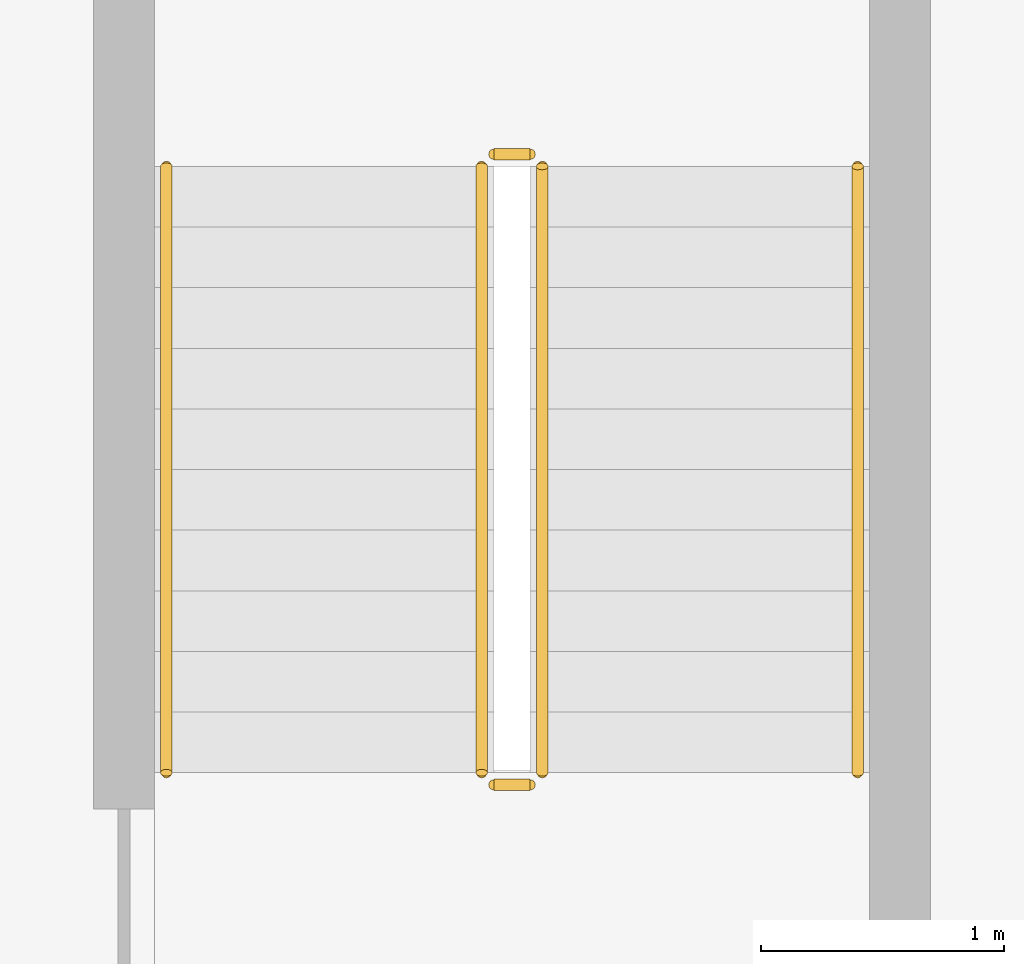
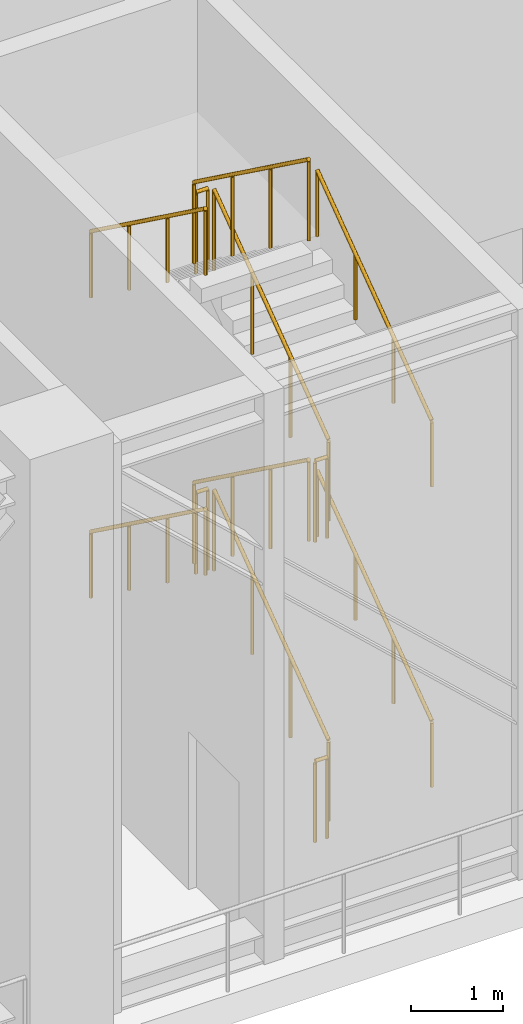
# One storey, part 7 of 10: 12 railings.
"""IFC4 building model written with IfcOpenShell, lengths in metres."""

from ifc_helpers import new_model, si_unit, direction, frame, origin, origin_2d, place, context, subcontext, project, spatial, circle, extrude, source, transform, mapped, material, type_object, element, save


model = new_model("IFC4")

# Units and contexts
model_context = context("Model", 3, precision=1e-05, world=origin(), true_north=direction((0.0, 1.0)))
body_context = subcontext(model_context, "Body", "Model", "MODEL_VIEW")
ifc_project = project(units=[si_unit("LENGTHUNIT", "METRE"), si_unit("AREAUNIT", "SQUARE_METRE"), si_unit("VOLUMEUNIT", "CUBIC_METRE"), si_unit("PLANEANGLEUNIT", "RADIAN"), si_unit("MASSUNIT", "GRAM", prefix="KILO")], contexts=[model_context])

# Site, building, storey
site_placement = place(None, origin())
site = spatial("IfcSite", under=ifc_project, at=site_placement, CompositionType="ELEMENT")
building_placement = place(site_placement, origin())
building = spatial("IfcBuilding", under=site, at=building_placement, Name="Aurelian Terraces", CompositionType="ELEMENT")
storey_placement = place(building_placement, frame((0.0, 0.0, 162.3)))
storey = spatial("IfcBuildingStorey", under=building, at=storey_placement, Name="L36", CompositionType="ELEMENT", Elevation=162.3)

# Railings
ifc_material = material(Name="Stainless steel", Category="steel")
railing_type_1 = type_object("IfcRailingType", Name="Stair guard 1100", PredefinedType="GUARDRAIL", material=ifc_material)
shared_shape_1 = source(origin(), body_context, "Body", "SweptSolid", [
    extrude(circle(Radius=0.024, at=origin_2d()), frame((0.0, 0.0, 1.076), z_axis=(-1.0, 0.0, 0.0), x_axis=(0.0, -1.0, 0.0)), (0.0, 0.0, 1.0), 0.15),
    extrude(circle(Radius=0.021, at=origin_2d()), origin(), (0.0, 0.0, 1.0), 1.052),
    extrude(circle(Radius=0.021, at=origin_2d()), frame((-0.15, 0.0, 0.0)), (0.0, 0.0, 1.0), 1.052),
])
for number, where, name in (
    (1, (42.2, 4.65, 2.0), "L36 S2 stair guard 2"),
    (2, (42.2, 2.05, 4.0), "L36 S2 stair guard 4"),
    (3, (42.2, 4.65, 6.0), "L36 S2 stair guard 6"),
    (4, (42.2, 2.05, 0.0), "L36 S2 stair guard 8"),
):
    element("IfcRailing", number, at=place(storey_placement, frame(where)), inside=storey, type_object=railing_type_1, Name=name, PredefinedType="GUARDRAIL", context=body_context, shape_type="MappedRepresentation", body=[
        mapped(shared_shape_1, transform((0.0, 0.0, 0.0), scale=1.0)),
    ])
shared_shape_2 = source(origin(), body_context, "Body", "SweptSolid", [
    extrude(circle(Radius=0.024, at=origin_2d()), frame((0.0, 0.0, 1.076), z_axis=(0.0, 0.808733286514, 0.588175544616), x_axis=(-1.0, 0.0, 0.0)), (0.0, 0.0, 1.0), 3.0913),
    extrude(circle(Radius=0.021, at=origin_2d()), origin(), (0.0, 0.0, 1.0), 1.052),
    extrude(circle(Radius=0.021, at=origin_2d()), frame((0.0, 0.8333, 0.6061)), (0.0, 0.0, 1.0), 1.052),
    extrude(circle(Radius=0.021, at=origin_2d()), frame((0.0, 1.6667, 1.2121)), (0.0, 0.0, 1.0), 1.052),
    extrude(circle(Radius=0.021, at=origin_2d()), frame((0.0, 2.5, 1.8182)), (0.0, 0.0, 1.0), 1.052),
])
for number, where, name in (
    (5, (42.25, 2.1, 0.1818), "L36 S2 stair guard 1"),
    (6, (42.25, 2.1, 4.1818), "L36 S2 stair guard 5"),
):
    element("IfcRailing", number, at=place(storey_placement, frame(where)), inside=storey, type_object=railing_type_1, Name=name, PredefinedType="GUARDRAIL", context=body_context, shape_type="MappedRepresentation", body=[
        mapped(shared_shape_2, transform((0.0, 0.0, 0.0), scale=1.0)),
    ])
shared_shape_3 = source(origin(), body_context, "Body", "SweptSolid", [
    extrude(circle(Radius=0.024, at=origin_2d()), frame((0.0, 0.0, 1.076), z_axis=(0.0, -0.808733286514, 0.588175544616), x_axis=(1.0, 0.0, 0.0)), (0.0, 0.0, 1.0), 3.0913),
    extrude(circle(Radius=0.021, at=origin_2d()), origin(), (0.0, 0.0, 1.0), 1.052),
    extrude(circle(Radius=0.021, at=origin_2d()), frame((0.0, -0.8333, 0.6061)), (0.0, 0.0, 1.0), 1.052),
    extrude(circle(Radius=0.021, at=origin_2d()), frame((0.0, -1.6667, 1.2121)), (0.0, 0.0, 1.0), 1.052),
    extrude(circle(Radius=0.021, at=origin_2d()), frame((0.0, -2.5, 1.8182)), (0.0, 0.0, 1.0), 1.052),
])
for number, where, name in (
    (7, (42.0, 4.6, 2.1818), "L36 S2 stair guard 3"),
    (8, (42.0, 4.6, 6.1818), "L36 S2 stair guard 7"),
):
    element("IfcRailing", number, at=place(storey_placement, frame(where)), inside=storey, type_object=railing_type_1, Name=name, PredefinedType="GUARDRAIL", context=body_context, shape_type="MappedRepresentation", body=[
        mapped(shared_shape_3, transform((0.0, 0.0, 0.0), scale=1.0)),
    ])
railing_type_2 = type_object("IfcRailingType", Name="Stair handrail", PredefinedType="HANDRAIL", material=ifc_material)
shared_shape_4 = source(origin(), body_context, "Body", "SweptSolid", [
    extrude(circle(Radius=0.024, at=origin_2d()), frame((0.0, 0.0, 0.876), z_axis=(0.0, 0.808733286514, 0.588175544616), x_axis=(-1.0, 0.0, 0.0)), (0.0, 0.0, 1.0), 3.0913),
    extrude(circle(Radius=0.021, at=origin_2d()), origin(), (0.0, 0.0, 1.0), 0.852),
    extrude(circle(Radius=0.021, at=origin_2d()), frame((0.0, 0.8333, 0.6061)), (0.0, 0.0, 1.0), 0.852),
    extrude(circle(Radius=0.021, at=origin_2d()), frame((0.0, 1.6667, 1.2121)), (0.0, 0.0, 1.0), 0.852),
    extrude(circle(Radius=0.021, at=origin_2d()), frame((0.0, 2.5, 1.8182)), (0.0, 0.0, 1.0), 0.852),
])
for number, where, name in (
    (9, (43.55, 2.1, 0.1818), "L36 S2 stair handrail 1"),
    (10, (43.55, 2.1, 4.1818), "L36 S2 stair handrail 3"),
):
    element("IfcRailing", number, at=place(storey_placement, frame(where)), inside=storey, type_object=railing_type_2, Name=name, PredefinedType="HANDRAIL", context=body_context, shape_type="MappedRepresentation", body=[
        mapped(shared_shape_4, transform((0.0, 0.0, 0.0), scale=1.0)),
    ])
shared_shape_5 = source(origin(), body_context, "Body", "SweptSolid", [
    extrude(circle(Radius=0.024, at=origin_2d()), frame((0.0, 0.0, 0.876), z_axis=(0.0, -0.808733286514, 0.588175544616), x_axis=(1.0, 0.0, 0.0)), (0.0, 0.0, 1.0), 3.0913),
    extrude(circle(Radius=0.021, at=origin_2d()), origin(), (0.0, 0.0, 1.0), 0.852),
    extrude(circle(Radius=0.021, at=origin_2d()), frame((0.0, -0.8333, 0.6061)), (0.0, 0.0, 1.0), 0.852),
    extrude(circle(Radius=0.021, at=origin_2d()), frame((0.0, -1.6667, 1.2121)), (0.0, 0.0, 1.0), 0.852),
    extrude(circle(Radius=0.021, at=origin_2d()), frame((0.0, -2.5, 1.8182)), (0.0, 0.0, 1.0), 0.852),
])
for number, where, name in (
    (11, (40.7, 4.6, 2.1818), "L36 S2 stair handrail 2"),
    (12, (40.7, 4.6, 6.1818), "L36 S2 stair handrail 4"),
):
    element("IfcRailing", number, at=place(storey_placement, frame(where)), inside=storey, type_object=railing_type_2, Name=name, PredefinedType="HANDRAIL", context=body_context, shape_type="MappedRepresentation", body=[
        mapped(shared_shape_5, transform((0.0, 0.0, 0.0), scale=1.0)),
    ])

save(model, "model.ifc")
